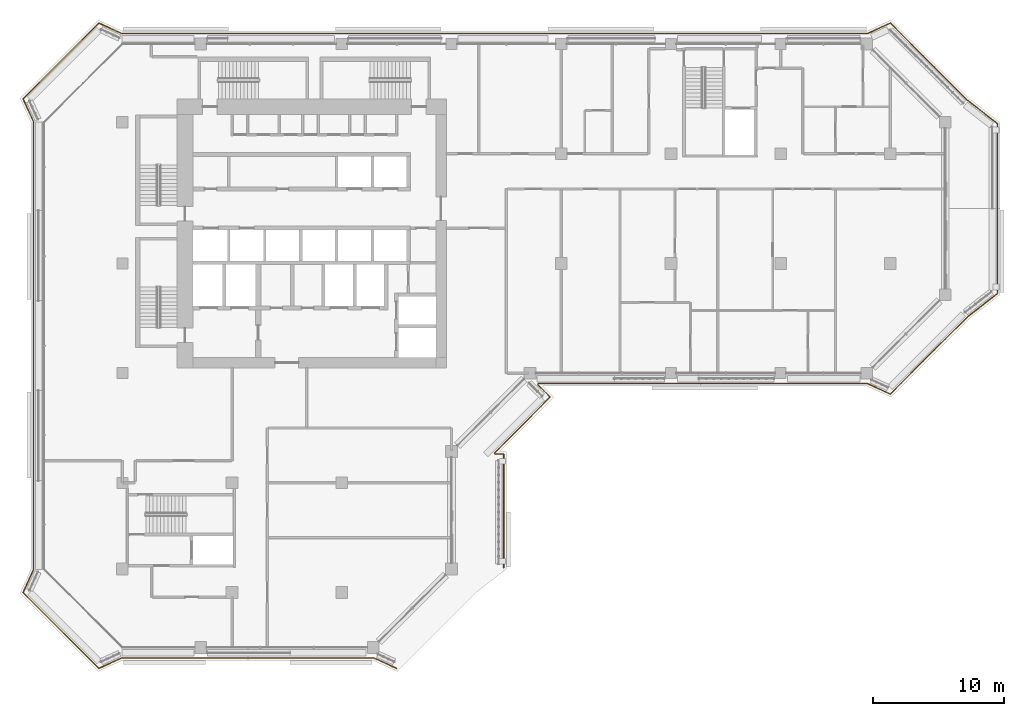
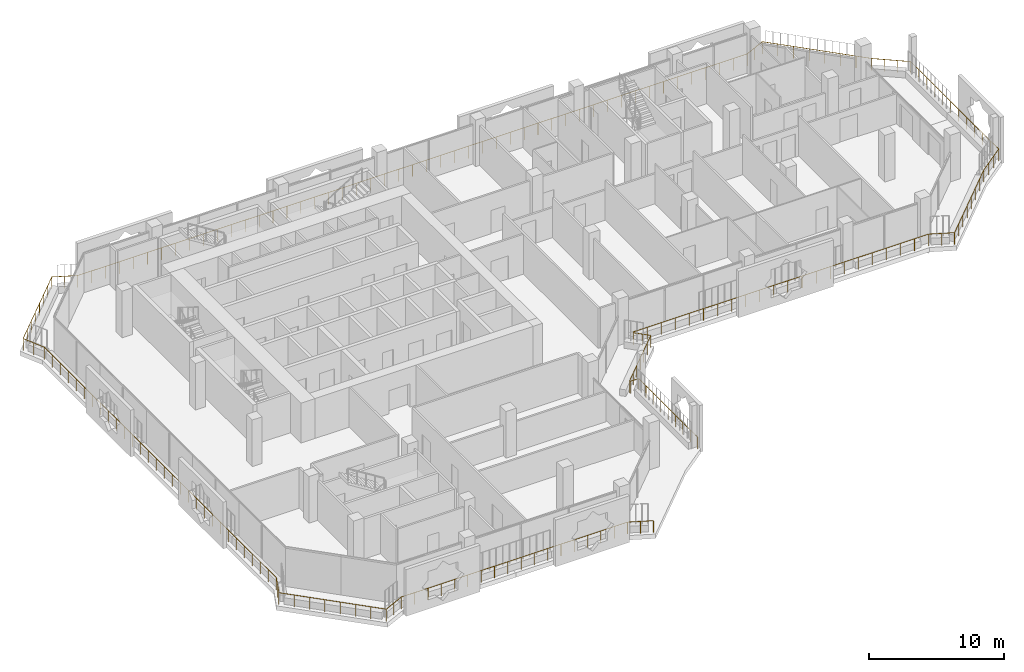
# One storey, part 17 of 21: 1 railing.
"""IFC4 building model written with IfcOpenShell, lengths in metres."""

from ifc_helpers import new_model, si_unit, direction, frame, origin, origin_2d, place, context, subcontext, project, spatial, circle, extrude, material, type_object, element, save


model = new_model("IFC4")

# Units and contexts
model_context = context("Model", 3, precision=1e-05, world=origin(), true_north=direction((0.0, 1.0)))
body_context = subcontext(model_context, "Body", "Model", "MODEL_VIEW")
ifc_project = project(units=[si_unit("LENGTHUNIT", "METRE"), si_unit("AREAUNIT", "SQUARE_METRE"), si_unit("VOLUMEUNIT", "CUBIC_METRE"), si_unit("PLANEANGLEUNIT", "RADIAN"), si_unit("MASSUNIT", "GRAM", prefix="KILO")], contexts=[model_context])

# Site, building, storey
site_placement = place(None, origin())
site = spatial("IfcSite", under=ifc_project, at=site_placement, CompositionType="ELEMENT")
building_placement = place(site_placement, origin())
building = spatial("IfcBuilding", under=site, at=building_placement, Name="Kawkab Arch Medical Tower", CompositionType="ELEMENT")
storey_placement = place(building_placement, frame((0.0, 0.0, 260.0)))
storey = spatial("IfcBuildingStorey", under=building, at=storey_placement, Name="L60", CompositionType="ELEMENT", Elevation=260.0)

# Railing
ifc_material = material(Name="Bronze anodised aluminium guard", Category="aluminium")
railing_type = type_object("IfcRailingType", Name="Loggia and terrace guard 1100", PredefinedType="GUARDRAIL", material=ifc_material)
railing_placement = place(storey_placement, frame((20.9951171875, -47.798095703125, 0.0)))
element("IfcRailing", 1, at=railing_placement, inside=storey, type_object=railing_type, Name="Guard L60.LOG-01.1.1", PredefinedType="GUARDRAIL", context=body_context, shape_type="SweptSolid", body=[
    extrude(circle(Radius=0.02392578125, at=origin_2d()), frame((0.0, 0.0, 1.076171875), z_axis=(-0.910044860056, 0.414509773934, 0.0), x_axis=(-0.414509773934, -0.910044860056, 0.0)), (0.0, 0.0, 1.0), 1.92529296875),
    extrude(circle(Radius=0.02392578125, at=origin_2d()), frame((-1.752197265625, 0.798095703125, 1.076171875), z_axis=(-1.0, 0.0, 0.0), x_axis=(0.0, -1.0, 0.0)), (0.0, 0.0, 1.0), 19.285888671875),
    extrude(circle(Radius=0.02392578125, at=origin_2d()), frame((-21.0380859375, 0.798095703125, 1.076171875), z_axis=(-0.910023069687, -0.414557610759, 0.0), x_axis=(0.414557610759, -0.910023069687, 0.0)), (0.0, 0.0, 1.0), 1.92529296875),
    extrude(circle(Radius=0.02392578125, at=origin_2d()), frame((-22.7900390625, 0.0, 1.076171875), z_axis=(-0.707106781187, 0.707106781187, 0.0), x_axis=(-0.707106781187, -0.707106781187, 0.0)), (0.0, 0.0, 1.0), 8.20654296875),
    extrude(circle(Radius=0.02392578125, at=origin_2d()), frame((-28.593017578125, 5.802978515625, 1.076171875), z_axis=(0.414404752076, 0.910092688388, 0.0), x_axis=(-0.910092688388, 0.414404752076, 0.0)), (0.0, 0.0, 1.0), 1.92529296875),
    extrude(circle(Radius=0.02392578125, at=origin_2d()), frame((-27.795166015625, 7.55517578125, 1.076171875), z_axis=(0.0, 1.0, 0.0), x_axis=(-1.0, 0.0, 0.0)), (0.0, 0.0, 1.0), 34.285888671875),
    extrude(circle(Radius=0.02392578125, at=origin_2d()), frame((-27.795166015625, 41.841064453125, 1.076171875), z_axis=(-0.414452581809, 0.910070907914, 0.0), x_axis=(-0.910070907914, -0.414452581809, 0.0)), (0.0, 0.0, 1.0), 1.925048828125),
    extrude(circle(Radius=0.02392578125, at=origin_2d()), frame((-28.593017578125, 43.593017578125, 1.076171875), z_axis=(0.707106781187, 0.707106781187, 0.0), x_axis=(-0.707106781187, 0.707106781187, 0.0)), (0.0, 0.0, 1.0), 8.20654296875),
    extrude(circle(Radius=0.02392578125, at=origin_2d()), frame((-22.7900390625, 49.39599609375, 1.076171875), z_axis=(0.910070907914, -0.414452581809, 0.0), x_axis=(0.414452581809, 0.910070907914, 0.0)), (0.0, 0.0, 1.0), 1.925048828125),
    extrude(circle(Radius=0.02392578125, at=origin_2d()), frame((-21.0380859375, 48.59814453125, 1.076171875), z_axis=(1.0, 0.0, 0.0), x_axis=(0.0, 1.0, 0.0)), (0.0, 0.0, 1.0), 57.0859375),
    extrude(circle(Radius=0.02392578125, at=origin_2d()), frame((36.0478515625, 48.59814453125, 1.076171875), z_axis=(0.910070907914, 0.414452581809, 0.0), x_axis=(-0.414452581809, 0.910070907914, 0.0)), (0.0, 0.0, 1.0), 1.925048828125),
    extrude(circle(Radius=0.02392578125, at=origin_2d()), frame((37.7998046875, 49.39599609375, 1.076171875), z_axis=(0.707121386154, -0.707092175918, 0.0), x_axis=(0.707092175918, 0.707121386154, 0.0)), (0.0, 0.0, 1.0), 8.358154296875),
    extrude(circle(Radius=0.02392578125, at=origin_2d()), frame((43.7099609375, 43.486083984375, 1.076171875), z_axis=(0.789193964876, -0.614144026922, 0.0), x_axis=(0.614144026922, 0.789193964876, 0.0)), (0.0, 0.0, 1.0), 2.907958984375),
    extrude(circle(Radius=0.02392578125, at=origin_2d()), frame((46.0048828125, 41.7001953125, 1.076171875), z_axis=(0.0, -1.0, 0.0), x_axis=(1.0, 0.0, 0.0)), (0.0, 0.0, 1.0), 13.004150390625),
    extrude(circle(Radius=0.02392578125, at=origin_2d()), frame((46.0048828125, 28.696044921875, 1.076171875), z_axis=(-0.789193964876, -0.614144026922, 0.0), x_axis=(0.614144026922, -0.789193964876, 0.0)), (0.0, 0.0, 1.0), 2.907958984375),
    extrude(circle(Radius=0.02392578125, at=origin_2d()), frame((43.7099609375, 26.91015625, 1.076171875), z_axis=(-0.707106781187, -0.707106781187, 0.0), x_axis=(0.707106781187, -0.707106781187, 0.0)), (0.0, 0.0, 1.0), 8.358154296875),
    extrude(circle(Radius=0.02392578125, at=origin_2d()), frame((37.7998046875, 21.0, 1.076171875), z_axis=(-0.910023069687, 0.414557610759, 0.0), x_axis=(-0.414557610759, -0.910023069687, 0.0)), (0.0, 0.0, 1.0), 1.92529296875),
    extrude(circle(Radius=0.02392578125, at=origin_2d()), frame((36.0478515625, 21.798095703125, 1.076171875), z_axis=(-1.0, 0.0, 0.0), x_axis=(0.0, -1.0, 0.0)), (0.0, 0.0, 1.0), 25.19287109375),
    extrude(circle(Radius=0.02392578125, at=origin_2d()), frame((10.85498046875, 21.798095703125, 1.076171875), z_axis=(-0.383763674343, -0.923431341387, 0.0), x_axis=(0.923431341387, -0.383763674343, 0.0)), (0.0, 0.0, 1.0), 0.101806640625),
    extrude(circle(Radius=0.02392578125, at=origin_2d()), frame((10.81591796875, 21.7041015625, 1.076171875), z_axis=(0.707015335112, -0.707198215437, 0.0), x_axis=(0.707198215437, 0.707015335112, 0.0)), (0.0, 0.0, 1.0), 1.3349609375),
    extrude(circle(Radius=0.02392578125, at=origin_2d()), frame((11.759765625, 20.760009765625, 1.076171875), z_axis=(-0.707025867263, -0.707187685852, 0.0), x_axis=(0.707187685852, -0.707025867263, 0.0)), (0.0, 0.0, 1.0), 6.034912109375),
    extrude(circle(Radius=0.02392578125, at=origin_2d()), frame((7.492919921875, 16.4921875, 1.076171875), z_axis=(0.383763674343, -0.923431341387, 0.0), x_axis=(0.923431341387, 0.383763674343, 0.0)), (0.0, 0.0, 1.0), 0.101806640625),
    extrude(circle(Radius=0.02392578125, at=origin_2d()), frame((7.531982421875, 16.398193359375, 1.076171875), z_axis=(1.0, 0.0, 0.0), x_axis=(0.0, 1.0, 0.0)), (0.0, 0.0, 1.0), 0.6728515625),
    extrude(circle(Radius=0.02392578125, at=origin_2d()), frame((8.204833984375, 16.398193359375, 1.076171875), z_axis=(0.0, -1.0, 0.0), x_axis=(1.0, 0.0, 0.0)), (0.0, 0.0, 1.0), 8.7021484375),
    extrude(circle(Radius=0.02099609375, at=origin_2d()), origin(), (0.0, 0.0, 1.0), 1.052001953125),
    extrude(circle(Radius=0.02099609375, at=origin_2d()), frame((-0.8759765625, 0.39892578125, 0.0)), (0.0, 0.0, 1.0), 1.052001953125),
    extrude(circle(Radius=0.02099609375, at=origin_2d()), frame((-1.752197265625, 0.798095703125, 0.0)), (0.0, 0.0, 1.0), 1.052001953125),
    extrude(circle(Radius=0.02099609375, at=origin_2d()), frame((-2.88671875, 0.798095703125, 0.0)), (0.0, 0.0, 1.0), 1.052001953125),
    extrude(circle(Radius=0.02099609375, at=origin_2d()), frame((-4.021240234375, 0.798095703125, 0.0)), (0.0, 0.0, 1.0), 1.052001953125),
    extrude(circle(Radius=0.02099609375, at=origin_2d()), frame((-5.155517578125, 0.798095703125, 0.0)), (0.0, 0.0, 1.0), 1.052001953125),
    extrude(circle(Radius=0.02099609375, at=origin_2d()), frame((-6.2900390625, 0.798095703125, 0.0)), (0.0, 0.0, 1.0), 1.052001953125),
    extrude(circle(Radius=0.02099609375, at=origin_2d()), frame((-7.424560546875, 0.798095703125, 0.0)), (0.0, 0.0, 1.0), 1.052001953125),
    extrude(circle(Radius=0.02099609375, at=origin_2d()), frame((-8.55908203125, 0.798095703125, 0.0)), (0.0, 0.0, 1.0), 1.052001953125),
    extrude(circle(Radius=0.02099609375, at=origin_2d()), frame((-9.693359375, 0.798095703125, 0.0)), (0.0, 0.0, 1.0), 1.052001953125),
    extrude(circle(Radius=0.02099609375, at=origin_2d()), frame((-10.827880859375, 0.798095703125, 0.0)), (0.0, 0.0, 1.0), 1.052001953125),
    extrude(circle(Radius=0.02099609375, at=origin_2d()), frame((-11.96240234375, 0.798095703125, 0.0)), (0.0, 0.0, 1.0), 1.052001953125),
    extrude(circle(Radius=0.02099609375, at=origin_2d()), frame((-13.096923828125, 0.798095703125, 0.0)), (0.0, 0.0, 1.0), 1.052001953125),
    extrude(circle(Radius=0.02099609375, at=origin_2d()), frame((-14.231201171875, 0.798095703125, 0.0)), (0.0, 0.0, 1.0), 1.052001953125),
    extrude(circle(Radius=0.02099609375, at=origin_2d()), frame((-15.36572265625, 0.798095703125, 0.0)), (0.0, 0.0, 1.0), 1.052001953125),
    extrude(circle(Radius=0.02099609375, at=origin_2d()), frame((-16.500244140625, 0.798095703125, 0.0)), (0.0, 0.0, 1.0), 1.052001953125),
    extrude(circle(Radius=0.02099609375, at=origin_2d()), frame((-17.634765625, 0.798095703125, 0.0)), (0.0, 0.0, 1.0), 1.052001953125),
    extrude(circle(Radius=0.02099609375, at=origin_2d()), frame((-18.76904296875, 0.798095703125, 0.0)), (0.0, 0.0, 1.0), 1.052001953125),
    extrude(circle(Radius=0.02099609375, at=origin_2d()), frame((-19.903564453125, 0.798095703125, 0.0)), (0.0, 0.0, 1.0), 1.052001953125),
    extrude(circle(Radius=0.02099609375, at=origin_2d()), frame((-21.0380859375, 0.798095703125, 0.0)), (0.0, 0.0, 1.0), 1.052001953125),
    extrude(circle(Radius=0.02099609375, at=origin_2d()), frame((-21.9140625, 0.39892578125, 0.0)), (0.0, 0.0, 1.0), 1.052001953125),
    extrude(circle(Radius=0.02099609375, at=origin_2d()), frame((-22.7900390625, 0.0, 0.0)), (0.0, 0.0, 1.0), 1.052001953125),
    extrude(circle(Radius=0.02099609375, at=origin_2d()), frame((-23.619140625, 0.8291015625, 0.0)), (0.0, 0.0, 1.0), 1.052001953125),
    extrude(circle(Radius=0.02099609375, at=origin_2d()), frame((-24.447998046875, 1.657958984375, 0.0)), (0.0, 0.0, 1.0), 1.052001953125),
    extrude(circle(Radius=0.02099609375, at=origin_2d()), frame((-25.277099609375, 2.487060546875, 0.0)), (0.0, 0.0, 1.0), 1.052001953125),
    extrude(circle(Radius=0.02099609375, at=origin_2d()), frame((-26.10595703125, 3.31591796875, 0.0)), (0.0, 0.0, 1.0), 1.052001953125),
    extrude(circle(Radius=0.02099609375, at=origin_2d()), frame((-26.93505859375, 4.14501953125, 0.0)), (0.0, 0.0, 1.0), 1.052001953125),
    extrude(circle(Radius=0.02099609375, at=origin_2d()), frame((-27.763916015625, 4.973876953125, 0.0)), (0.0, 0.0, 1.0), 1.052001953125),
    extrude(circle(Radius=0.02099609375, at=origin_2d()), frame((-28.593017578125, 5.802978515625, 0.0)), (0.0, 0.0, 1.0), 1.052001953125),
    extrude(circle(Radius=0.02099609375, at=origin_2d()), frame((-28.194091796875, 6.67919921875, 0.0)), (0.0, 0.0, 1.0), 1.052001953125),
    extrude(circle(Radius=0.02099609375, at=origin_2d()), frame((-27.795166015625, 7.55517578125, 0.0)), (0.0, 0.0, 1.0), 1.052001953125),
    extrude(circle(Radius=0.02099609375, at=origin_2d()), frame((-27.795166015625, 8.737548828125, 0.0)), (0.0, 0.0, 1.0), 1.052001953125),
    extrude(circle(Radius=0.02099609375, at=origin_2d()), frame((-27.795166015625, 9.919677734375, 0.0)), (0.0, 0.0, 1.0), 1.052001953125),
    extrude(circle(Radius=0.02099609375, at=origin_2d()), frame((-27.795166015625, 11.10205078125, 0.0)), (0.0, 0.0, 1.0), 1.052001953125),
    extrude(circle(Radius=0.02099609375, at=origin_2d()), frame((-27.795166015625, 12.2841796875, 0.0)), (0.0, 0.0, 1.0), 1.052001953125),
    extrude(circle(Radius=0.02099609375, at=origin_2d()), frame((-27.795166015625, 13.466552734375, 0.0)), (0.0, 0.0, 1.0), 1.052001953125),
    extrude(circle(Radius=0.02099609375, at=origin_2d()), frame((-27.795166015625, 14.64892578125, 0.0)), (0.0, 0.0, 1.0), 1.052001953125),
    extrude(circle(Radius=0.02099609375, at=origin_2d()), frame((-27.795166015625, 15.8310546875, 0.0)), (0.0, 0.0, 1.0), 1.052001953125),
    extrude(circle(Radius=0.02099609375, at=origin_2d()), frame((-27.795166015625, 17.013427734375, 0.0)), (0.0, 0.0, 1.0), 1.052001953125),
    extrude(circle(Radius=0.02099609375, at=origin_2d()), frame((-27.795166015625, 18.195556640625, 0.0)), (0.0, 0.0, 1.0), 1.052001953125),
    extrude(circle(Radius=0.02099609375, at=origin_2d()), frame((-27.795166015625, 19.3779296875, 0.0)), (0.0, 0.0, 1.0), 1.052001953125),
    extrude(circle(Radius=0.02099609375, at=origin_2d()), frame((-27.795166015625, 20.56005859375, 0.0)), (0.0, 0.0, 1.0), 1.052001953125),
    extrude(circle(Radius=0.02099609375, at=origin_2d()), frame((-27.795166015625, 21.742431640625, 0.0)), (0.0, 0.0, 1.0), 1.052001953125),
    extrude(circle(Radius=0.02099609375, at=origin_2d()), frame((-27.795166015625, 22.9248046875, 0.0)), (0.0, 0.0, 1.0), 1.052001953125),
    extrude(circle(Radius=0.02099609375, at=origin_2d()), frame((-27.795166015625, 24.10693359375, 0.0)), (0.0, 0.0, 1.0), 1.052001953125),
    extrude(circle(Radius=0.02099609375, at=origin_2d()), frame((-27.795166015625, 25.289306640625, 0.0)), (0.0, 0.0, 1.0), 1.052001953125),
    extrude(circle(Radius=0.02099609375, at=origin_2d()), frame((-27.795166015625, 26.471435546875, 0.0)), (0.0, 0.0, 1.0), 1.052001953125),
    extrude(circle(Radius=0.02099609375, at=origin_2d()), frame((-27.795166015625, 27.65380859375, 0.0)), (0.0, 0.0, 1.0), 1.052001953125),
    extrude(circle(Radius=0.02099609375, at=origin_2d()), frame((-27.795166015625, 28.836181640625, 0.0)), (0.0, 0.0, 1.0), 1.052001953125),
    extrude(circle(Radius=0.02099609375, at=origin_2d()), frame((-27.795166015625, 30.018310546875, 0.0)), (0.0, 0.0, 1.0), 1.052001953125),
    extrude(circle(Radius=0.02099609375, at=origin_2d()), frame((-27.795166015625, 31.20068359375, 0.0)), (0.0, 0.0, 1.0), 1.052001953125),
    extrude(circle(Radius=0.02099609375, at=origin_2d()), frame((-27.795166015625, 32.3828125, 0.0)), (0.0, 0.0, 1.0), 1.052001953125),
    extrude(circle(Radius=0.02099609375, at=origin_2d()), frame((-27.795166015625, 33.565185546875, 0.0)), (0.0, 0.0, 1.0), 1.052001953125),
    extrude(circle(Radius=0.02099609375, at=origin_2d()), frame((-27.795166015625, 34.747314453125, 0.0)), (0.0, 0.0, 1.0), 1.052001953125),
    extrude(circle(Radius=0.02099609375, at=origin_2d()), frame((-27.795166015625, 35.9296875, 0.0)), (0.0, 0.0, 1.0), 1.052001953125),
    extrude(circle(Radius=0.02099609375, at=origin_2d()), frame((-27.795166015625, 37.112060546875, 0.0)), (0.0, 0.0, 1.0), 1.052001953125),
    extrude(circle(Radius=0.02099609375, at=origin_2d()), frame((-27.795166015625, 38.294189453125, 0.0)), (0.0, 0.0, 1.0), 1.052001953125),
    extrude(circle(Radius=0.02099609375, at=origin_2d()), frame((-27.795166015625, 39.4765625, 0.0)), (0.0, 0.0, 1.0), 1.052001953125),
    extrude(circle(Radius=0.02099609375, at=origin_2d()), frame((-27.795166015625, 40.65869140625, 0.0)), (0.0, 0.0, 1.0), 1.052001953125),
    extrude(circle(Radius=0.02099609375, at=origin_2d()), frame((-27.795166015625, 41.841064453125, 0.0)), (0.0, 0.0, 1.0), 1.052001953125),
    extrude(circle(Radius=0.02099609375, at=origin_2d()), frame((-28.194091796875, 42.717041015625, 0.0)), (0.0, 0.0, 1.0), 1.052001953125),
    extrude(circle(Radius=0.02099609375, at=origin_2d()), frame((-28.593017578125, 43.593017578125, 0.0)), (0.0, 0.0, 1.0), 1.052001953125),
    extrude(circle(Radius=0.02099609375, at=origin_2d()), frame((-27.763916015625, 44.422119140625, 0.0)), (0.0, 0.0, 1.0), 1.052001953125),
    extrude(circle(Radius=0.02099609375, at=origin_2d()), frame((-26.93505859375, 45.2509765625, 0.0)), (0.0, 0.0, 1.0), 1.052001953125),
    extrude(circle(Radius=0.02099609375, at=origin_2d()), frame((-26.10595703125, 46.080078125, 0.0)), (0.0, 0.0, 1.0), 1.052001953125),
    extrude(circle(Radius=0.02099609375, at=origin_2d()), frame((-25.277099609375, 46.908935546875, 0.0)), (0.0, 0.0, 1.0), 1.052001953125),
    extrude(circle(Radius=0.02099609375, at=origin_2d()), frame((-24.447998046875, 47.738037109375, 0.0)), (0.0, 0.0, 1.0), 1.052001953125),
    extrude(circle(Radius=0.02099609375, at=origin_2d()), frame((-23.619140625, 48.56689453125, 0.0)), (0.0, 0.0, 1.0), 1.052001953125),
    extrude(circle(Radius=0.02099609375, at=origin_2d()), frame((-22.7900390625, 49.39599609375, 0.0)), (0.0, 0.0, 1.0), 1.052001953125),
    extrude(circle(Radius=0.02099609375, at=origin_2d()), frame((-21.9140625, 48.9970703125, 0.0)), (0.0, 0.0, 1.0), 1.052001953125),
    extrude(circle(Radius=0.02099609375, at=origin_2d()), frame((-21.0380859375, 48.59814453125, 0.0)), (0.0, 0.0, 1.0), 1.052001953125),
    extrude(circle(Radius=0.02099609375, at=origin_2d()), frame((-19.848876953125, 48.59814453125, 0.0)), (0.0, 0.0, 1.0), 1.052001953125),
    extrude(circle(Radius=0.02099609375, at=origin_2d()), frame((-18.659423828125, 48.59814453125, 0.0)), (0.0, 0.0, 1.0), 1.052001953125),
    extrude(circle(Radius=0.02099609375, at=origin_2d()), frame((-17.47021484375, 48.59814453125, 0.0)), (0.0, 0.0, 1.0), 1.052001953125),
    extrude(circle(Radius=0.02099609375, at=origin_2d()), frame((-16.281005859375, 48.59814453125, 0.0)), (0.0, 0.0, 1.0), 1.052001953125),
    extrude(circle(Radius=0.02099609375, at=origin_2d()), frame((-15.091552734375, 48.59814453125, 0.0)), (0.0, 0.0, 1.0), 1.052001953125),
    extrude(circle(Radius=0.02099609375, at=origin_2d()), frame((-13.90234375, 48.59814453125, 0.0)), (0.0, 0.0, 1.0), 1.052001953125),
    extrude(circle(Radius=0.02099609375, at=origin_2d()), frame((-12.713134765625, 48.59814453125, 0.0)), (0.0, 0.0, 1.0), 1.052001953125),
    extrude(circle(Radius=0.02099609375, at=origin_2d()), frame((-11.523681640625, 48.59814453125, 0.0)), (0.0, 0.0, 1.0), 1.052001953125),
    extrude(circle(Radius=0.02099609375, at=origin_2d()), frame((-10.33447265625, 48.59814453125, 0.0)), (0.0, 0.0, 1.0), 1.052001953125),
    extrude(circle(Radius=0.02099609375, at=origin_2d()), frame((-9.145263671875, 48.59814453125, 0.0)), (0.0, 0.0, 1.0), 1.052001953125),
    extrude(circle(Radius=0.02099609375, at=origin_2d()), frame((-7.955810546875, 48.59814453125, 0.0)), (0.0, 0.0, 1.0), 1.052001953125),
    extrude(circle(Radius=0.02099609375, at=origin_2d()), frame((-6.7666015625, 48.59814453125, 0.0)), (0.0, 0.0, 1.0), 1.052001953125),
    extrude(circle(Radius=0.02099609375, at=origin_2d()), frame((-5.577392578125, 48.59814453125, 0.0)), (0.0, 0.0, 1.0), 1.052001953125),
    extrude(circle(Radius=0.02099609375, at=origin_2d()), frame((-4.387939453125, 48.59814453125, 0.0)), (0.0, 0.0, 1.0), 1.052001953125),
    extrude(circle(Radius=0.02099609375, at=origin_2d()), frame((-3.19873046875, 48.59814453125, 0.0)), (0.0, 0.0, 1.0), 1.052001953125),
    extrude(circle(Radius=0.02099609375, at=origin_2d()), frame((-2.009521484375, 48.59814453125, 0.0)), (0.0, 0.0, 1.0), 1.052001953125),
    extrude(circle(Radius=0.02099609375, at=origin_2d()), frame((-0.820068359375, 48.59814453125, 0.0)), (0.0, 0.0, 1.0), 1.052001953125),
    extrude(circle(Radius=0.02099609375, at=origin_2d()), frame((0.369140625, 48.59814453125, 0.0)), (0.0, 0.0, 1.0), 1.052001953125),
    extrude(circle(Radius=0.02099609375, at=origin_2d()), frame((1.558349609375, 48.59814453125, 0.0)), (0.0, 0.0, 1.0), 1.052001953125),
    extrude(circle(Radius=0.02099609375, at=origin_2d()), frame((2.747802734375, 48.59814453125, 0.0)), (0.0, 0.0, 1.0), 1.052001953125),
    extrude(circle(Radius=0.02099609375, at=origin_2d()), frame((3.93701171875, 48.59814453125, 0.0)), (0.0, 0.0, 1.0), 1.052001953125),
    extrude(circle(Radius=0.02099609375, at=origin_2d()), frame((5.126220703125, 48.59814453125, 0.0)), (0.0, 0.0, 1.0), 1.052001953125),
    extrude(circle(Radius=0.02099609375, at=origin_2d()), frame((6.315673828125, 48.59814453125, 0.0)), (0.0, 0.0, 1.0), 1.052001953125),
    extrude(circle(Radius=0.02099609375, at=origin_2d()), frame((7.5048828125, 48.59814453125, 0.0)), (0.0, 0.0, 1.0), 1.052001953125),
    extrude(circle(Radius=0.02099609375, at=origin_2d()), frame((8.694091796875, 48.59814453125, 0.0)), (0.0, 0.0, 1.0), 1.052001953125),
    extrude(circle(Radius=0.02099609375, at=origin_2d()), frame((9.883544921875, 48.59814453125, 0.0)), (0.0, 0.0, 1.0), 1.052001953125),
    extrude(circle(Radius=0.02099609375, at=origin_2d()), frame((11.07275390625, 48.59814453125, 0.0)), (0.0, 0.0, 1.0), 1.052001953125),
    extrude(circle(Radius=0.02099609375, at=origin_2d()), frame((12.261962890625, 48.59814453125, 0.0)), (0.0, 0.0, 1.0), 1.052001953125),
    extrude(circle(Radius=0.02099609375, at=origin_2d()), frame((13.451416015625, 48.59814453125, 0.0)), (0.0, 0.0, 1.0), 1.052001953125),
    extrude(circle(Radius=0.02099609375, at=origin_2d()), frame((14.640625, 48.59814453125, 0.0)), (0.0, 0.0, 1.0), 1.052001953125),
    extrude(circle(Radius=0.02099609375, at=origin_2d()), frame((15.829833984375, 48.59814453125, 0.0)), (0.0, 0.0, 1.0), 1.052001953125),
    extrude(circle(Radius=0.02099609375, at=origin_2d()), frame((17.019287109375, 48.59814453125, 0.0)), (0.0, 0.0, 1.0), 1.052001953125),
    extrude(circle(Radius=0.02099609375, at=origin_2d()), frame((18.20849609375, 48.59814453125, 0.0)), (0.0, 0.0, 1.0), 1.052001953125),
    extrude(circle(Radius=0.02099609375, at=origin_2d()), frame((19.397705078125, 48.59814453125, 0.0)), (0.0, 0.0, 1.0), 1.052001953125),
    extrude(circle(Radius=0.02099609375, at=origin_2d()), frame((20.587158203125, 48.59814453125, 0.0)), (0.0, 0.0, 1.0), 1.052001953125),
    extrude(circle(Radius=0.02099609375, at=origin_2d()), frame((21.7763671875, 48.59814453125, 0.0)), (0.0, 0.0, 1.0), 1.052001953125),
    extrude(circle(Radius=0.02099609375, at=origin_2d()), frame((22.965576171875, 48.59814453125, 0.0)), (0.0, 0.0, 1.0), 1.052001953125),
    extrude(circle(Radius=0.02099609375, at=origin_2d()), frame((24.155029296875, 48.59814453125, 0.0)), (0.0, 0.0, 1.0), 1.052001953125),
    extrude(circle(Radius=0.02099609375, at=origin_2d()), frame((25.34423828125, 48.59814453125, 0.0)), (0.0, 0.0, 1.0), 1.052001953125),
    extrude(circle(Radius=0.02099609375, at=origin_2d()), frame((26.533447265625, 48.59814453125, 0.0)), (0.0, 0.0, 1.0), 1.052001953125),
    extrude(circle(Radius=0.02099609375, at=origin_2d()), frame((27.722900390625, 48.59814453125, 0.0)), (0.0, 0.0, 1.0), 1.052001953125),
    extrude(circle(Radius=0.02099609375, at=origin_2d()), frame((28.912109375, 48.59814453125, 0.0)), (0.0, 0.0, 1.0), 1.052001953125),
    extrude(circle(Radius=0.02099609375, at=origin_2d()), frame((30.101318359375, 48.59814453125, 0.0)), (0.0, 0.0, 1.0), 1.052001953125),
    extrude(circle(Radius=0.02099609375, at=origin_2d()), frame((31.290771484375, 48.59814453125, 0.0)), (0.0, 0.0, 1.0), 1.052001953125),
    extrude(circle(Radius=0.02099609375, at=origin_2d()), frame((32.47998046875, 48.59814453125, 0.0)), (0.0, 0.0, 1.0), 1.052001953125),
    extrude(circle(Radius=0.02099609375, at=origin_2d()), frame((33.669189453125, 48.59814453125, 0.0)), (0.0, 0.0, 1.0), 1.052001953125),
    extrude(circle(Radius=0.02099609375, at=origin_2d()), frame((34.858642578125, 48.59814453125, 0.0)), (0.0, 0.0, 1.0), 1.052001953125),
    extrude(circle(Radius=0.02099609375, at=origin_2d()), frame((36.0478515625, 48.59814453125, 0.0)), (0.0, 0.0, 1.0), 1.052001953125),
    extrude(circle(Radius=0.02099609375, at=origin_2d()), frame((36.923828125, 48.9970703125, 0.0)), (0.0, 0.0, 1.0), 1.052001953125),
    extrude(circle(Radius=0.02099609375, at=origin_2d()), frame((37.7998046875, 49.39599609375, 0.0)), (0.0, 0.0, 1.0), 1.052001953125),
    extrude(circle(Radius=0.02099609375, at=origin_2d()), frame((38.64404296875, 48.5517578125, 0.0)), (0.0, 0.0, 1.0), 1.052001953125),
    extrude(circle(Radius=0.02099609375, at=origin_2d()), frame((39.488525390625, 47.70751953125, 0.0)), (0.0, 0.0, 1.0), 1.052001953125),
    extrude(circle(Radius=0.02099609375, at=origin_2d()), frame((40.332763671875, 46.86328125, 0.0)), (0.0, 0.0, 1.0), 1.052001953125),
    extrude(circle(Radius=0.02099609375, at=origin_2d()), frame((41.177001953125, 46.018798828125, 0.0)), (0.0, 0.0, 1.0), 1.052001953125),
    extrude(circle(Radius=0.02099609375, at=origin_2d()), frame((42.021240234375, 45.174560546875, 0.0)), (0.0, 0.0, 1.0), 1.052001953125),
    extrude(circle(Radius=0.02099609375, at=origin_2d()), frame((42.86572265625, 44.330322265625, 0.0)), (0.0, 0.0, 1.0), 1.052001953125),
    extrude(circle(Radius=0.02099609375, at=origin_2d()), frame((43.7099609375, 43.486083984375, 0.0)), (0.0, 0.0, 1.0), 1.052001953125),
    extrude(circle(Radius=0.02099609375, at=origin_2d()), frame((44.474853515625, 42.890869140625, 0.0)), (0.0, 0.0, 1.0), 1.052001953125),
    extrude(circle(Radius=0.02099609375, at=origin_2d()), frame((45.239990234375, 42.29541015625, 0.0)), (0.0, 0.0, 1.0), 1.052001953125),
    extrude(circle(Radius=0.02099609375, at=origin_2d()), frame((46.0048828125, 41.7001953125, 0.0)), (0.0, 0.0, 1.0), 1.052001953125),
    extrude(circle(Radius=0.02099609375, at=origin_2d()), frame((46.0048828125, 40.51806640625, 0.0)), (0.0, 0.0, 1.0), 1.052001953125),
    extrude(circle(Radius=0.02099609375, at=origin_2d()), frame((46.0048828125, 39.335693359375, 0.0)), (0.0, 0.0, 1.0), 1.052001953125),
    extrude(circle(Radius=0.02099609375, at=origin_2d()), frame((46.0048828125, 38.153564453125, 0.0)), (0.0, 0.0, 1.0), 1.052001953125),
    extrude(circle(Radius=0.02099609375, at=origin_2d()), frame((46.0048828125, 36.971435546875, 0.0)), (0.0, 0.0, 1.0), 1.052001953125),
    extrude(circle(Radius=0.02099609375, at=origin_2d()), frame((46.0048828125, 35.789306640625, 0.0)), (0.0, 0.0, 1.0), 1.052001953125),
    extrude(circle(Radius=0.02099609375, at=origin_2d()), frame((46.0048828125, 34.60693359375, 0.0)), (0.0, 0.0, 1.0), 1.052001953125),
    extrude(circle(Radius=0.02099609375, at=origin_2d()), frame((46.0048828125, 33.4248046875, 0.0)), (0.0, 0.0, 1.0), 1.052001953125),
    extrude(circle(Radius=0.02099609375, at=origin_2d()), frame((46.0048828125, 32.24267578125, 0.0)), (0.0, 0.0, 1.0), 1.052001953125),
    extrude(circle(Radius=0.02099609375, at=origin_2d()), frame((46.0048828125, 31.060546875, 0.0)), (0.0, 0.0, 1.0), 1.052001953125),
    extrude(circle(Radius=0.02099609375, at=origin_2d()), frame((46.0048828125, 29.878173828125, 0.0)), (0.0, 0.0, 1.0), 1.052001953125),
    extrude(circle(Radius=0.02099609375, at=origin_2d()), frame((46.0048828125, 28.696044921875, 0.0)), (0.0, 0.0, 1.0), 1.052001953125),
    extrude(circle(Radius=0.02099609375, at=origin_2d()), frame((45.239990234375, 28.100830078125, 0.0)), (0.0, 0.0, 1.0), 1.052001953125),
    extrude(circle(Radius=0.02099609375, at=origin_2d()), frame((44.474853515625, 27.50537109375, 0.0)), (0.0, 0.0, 1.0), 1.052001953125),
    extrude(circle(Radius=0.02099609375, at=origin_2d()), frame((43.7099609375, 26.91015625, 0.0)), (0.0, 0.0, 1.0), 1.052001953125),
    extrude(circle(Radius=0.02099609375, at=origin_2d()), frame((42.86572265625, 26.06591796875, 0.0)), (0.0, 0.0, 1.0), 1.052001953125),
    extrude(circle(Radius=0.02099609375, at=origin_2d()), frame((42.021240234375, 25.221435546875, 0.0)), (0.0, 0.0, 1.0), 1.052001953125),
    extrude(circle(Radius=0.02099609375, at=origin_2d()), frame((41.177001953125, 24.377197265625, 0.0)), (0.0, 0.0, 1.0), 1.052001953125),
    extrude(circle(Radius=0.02099609375, at=origin_2d()), frame((40.332763671875, 23.532958984375, 0.0)), (0.0, 0.0, 1.0), 1.052001953125),
    extrude(circle(Radius=0.02099609375, at=origin_2d()), frame((39.488525390625, 22.688720703125, 0.0)), (0.0, 0.0, 1.0), 1.052001953125),
    extrude(circle(Radius=0.02099609375, at=origin_2d()), frame((38.64404296875, 21.84423828125, 0.0)), (0.0, 0.0, 1.0), 1.052001953125),
    extrude(circle(Radius=0.02099609375, at=origin_2d()), frame((37.7998046875, 21.0, 0.0)), (0.0, 0.0, 1.0), 1.052001953125),
    extrude(circle(Radius=0.02099609375, at=origin_2d()), frame((36.923828125, 21.39892578125, 0.0)), (0.0, 0.0, 1.0), 1.052001953125),
    extrude(circle(Radius=0.02099609375, at=origin_2d()), frame((36.0478515625, 21.798095703125, 0.0)), (0.0, 0.0, 1.0), 1.052001953125),
    extrude(circle(Radius=0.02099609375, at=origin_2d()), frame((34.84814453125, 21.798095703125, 0.0)), (0.0, 0.0, 1.0), 1.052001953125),
    extrude(circle(Radius=0.02099609375, at=origin_2d()), frame((33.6484375, 21.798095703125, 0.0)), (0.0, 0.0, 1.0), 1.052001953125),
    extrude(circle(Radius=0.02099609375, at=origin_2d()), frame((32.448974609375, 21.798095703125, 0.0)), (0.0, 0.0, 1.0), 1.052001953125),
    extrude(circle(Radius=0.02099609375, at=origin_2d()), frame((31.249267578125, 21.798095703125, 0.0)), (0.0, 0.0, 1.0), 1.052001953125),
    extrude(circle(Radius=0.02099609375, at=origin_2d()), frame((30.049560546875, 21.798095703125, 0.0)), (0.0, 0.0, 1.0), 1.052001953125),
    extrude(circle(Radius=0.02099609375, at=origin_2d()), frame((28.849853515625, 21.798095703125, 0.0)), (0.0, 0.0, 1.0), 1.052001953125),
    extrude(circle(Radius=0.02099609375, at=origin_2d()), frame((27.650146484375, 21.798095703125, 0.0)), (0.0, 0.0, 1.0), 1.052001953125),
    extrude(circle(Radius=0.02099609375, at=origin_2d()), frame((26.45068359375, 21.798095703125, 0.0)), (0.0, 0.0, 1.0), 1.052001953125),
    extrude(circle(Radius=0.02099609375, at=origin_2d()), frame((25.2509765625, 21.798095703125, 0.0)), (0.0, 0.0, 1.0), 1.052001953125),
    extrude(circle(Radius=0.02099609375, at=origin_2d()), frame((24.05126953125, 21.798095703125, 0.0)), (0.0, 0.0, 1.0), 1.052001953125),
    extrude(circle(Radius=0.02099609375, at=origin_2d()), frame((22.8515625, 21.798095703125, 0.0)), (0.0, 0.0, 1.0), 1.052001953125),
    extrude(circle(Radius=0.02099609375, at=origin_2d()), frame((21.65185546875, 21.798095703125, 0.0)), (0.0, 0.0, 1.0), 1.052001953125),
    extrude(circle(Radius=0.02099609375, at=origin_2d()), frame((20.4521484375, 21.798095703125, 0.0)), (0.0, 0.0, 1.0), 1.052001953125),
    extrude(circle(Radius=0.02099609375, at=origin_2d()), frame((19.252685546875, 21.798095703125, 0.0)), (0.0, 0.0, 1.0), 1.052001953125),
    extrude(circle(Radius=0.02099609375, at=origin_2d()), frame((18.052978515625, 21.798095703125, 0.0)), (0.0, 0.0, 1.0), 1.052001953125),
    extrude(circle(Radius=0.02099609375, at=origin_2d()), frame((16.853271484375, 21.798095703125, 0.0)), (0.0, 0.0, 1.0), 1.052001953125),
    extrude(circle(Radius=0.02099609375, at=origin_2d()), frame((15.653564453125, 21.798095703125, 0.0)), (0.0, 0.0, 1.0), 1.052001953125),
    extrude(circle(Radius=0.02099609375, at=origin_2d()), frame((14.453857421875, 21.798095703125, 0.0)), (0.0, 0.0, 1.0), 1.052001953125),
    extrude(circle(Radius=0.02099609375, at=origin_2d()), frame((13.25439453125, 21.798095703125, 0.0)), (0.0, 0.0, 1.0), 1.052001953125),
    extrude(circle(Radius=0.02099609375, at=origin_2d()), frame((12.0546875, 21.798095703125, 0.0)), (0.0, 0.0, 1.0), 1.052001953125),
    extrude(circle(Radius=0.02099609375, at=origin_2d()), frame((10.85498046875, 21.798095703125, 0.0)), (0.0, 0.0, 1.0), 1.052001953125),
    extrude(circle(Radius=0.02099609375, at=origin_2d()), frame((10.81591796875, 21.7041015625, 0.0)), (0.0, 0.0, 1.0), 1.052001953125),
    extrude(circle(Radius=0.02099609375, at=origin_2d()), frame((11.287841796875, 21.23193359375, 0.0)), (0.0, 0.0, 1.0), 1.052001953125),
    extrude(circle(Radius=0.02099609375, at=origin_2d()), frame((11.759765625, 20.760009765625, 0.0)), (0.0, 0.0, 1.0), 1.052001953125),
    extrude(circle(Radius=0.02099609375, at=origin_2d()), frame((11.048583984375, 20.048828125, 0.0)), (0.0, 0.0, 1.0), 1.052001953125),
    extrude(circle(Radius=0.02099609375, at=origin_2d()), frame((10.33740234375, 19.33740234375, 0.0)), (0.0, 0.0, 1.0), 1.052001953125),
    extrude(circle(Radius=0.02099609375, at=origin_2d()), frame((9.62646484375, 18.6259765625, 0.0)), (0.0, 0.0, 1.0), 1.052001953125),
    extrude(circle(Radius=0.02099609375, at=origin_2d()), frame((8.915283203125, 17.914794921875, 0.0)), (0.0, 0.0, 1.0), 1.052001953125),
    extrude(circle(Radius=0.02099609375, at=origin_2d()), frame((8.2041015625, 17.20361328125, 0.0)), (0.0, 0.0, 1.0), 1.052001953125),
    extrude(circle(Radius=0.02099609375, at=origin_2d()), frame((7.492919921875, 16.4921875, 0.0)), (0.0, 0.0, 1.0), 1.052001953125),
    extrude(circle(Radius=0.02099609375, at=origin_2d()), frame((7.531982421875, 16.398193359375, 0.0)), (0.0, 0.0, 1.0), 1.052001953125),
    extrude(circle(Radius=0.02099609375, at=origin_2d()), frame((8.204833984375, 16.398193359375, 0.0)), (0.0, 0.0, 1.0), 1.052001953125),
    extrude(circle(Radius=0.02099609375, at=origin_2d()), frame((8.204833984375, 15.310546875, 0.0)), (0.0, 0.0, 1.0), 1.052001953125),
    extrude(circle(Radius=0.02099609375, at=origin_2d()), frame((8.204833984375, 14.22265625, 0.0)), (0.0, 0.0, 1.0), 1.052001953125),
    extrude(circle(Radius=0.02099609375, at=origin_2d()), frame((8.204833984375, 13.134765625, 0.0)), (0.0, 0.0, 1.0), 1.052001953125),
    extrude(circle(Radius=0.02099609375, at=origin_2d()), frame((8.204833984375, 12.047119140625, 0.0)), (0.0, 0.0, 1.0), 1.052001953125),
    extrude(circle(Radius=0.02099609375, at=origin_2d()), frame((8.204833984375, 10.95947265625, 0.0)), (0.0, 0.0, 1.0), 1.052001953125),
    extrude(circle(Radius=0.02099609375, at=origin_2d()), frame((8.204833984375, 9.87158203125, 0.0)), (0.0, 0.0, 1.0), 1.052001953125),
    extrude(circle(Radius=0.02099609375, at=origin_2d()), frame((8.204833984375, 8.78369140625, 0.0)), (0.0, 0.0, 1.0), 1.052001953125),
    extrude(circle(Radius=0.02099609375, at=origin_2d()), frame((8.204833984375, 7.696044921875, 0.0)), (0.0, 0.0, 1.0), 1.052001953125),
])

save(model, "model.ifc")
